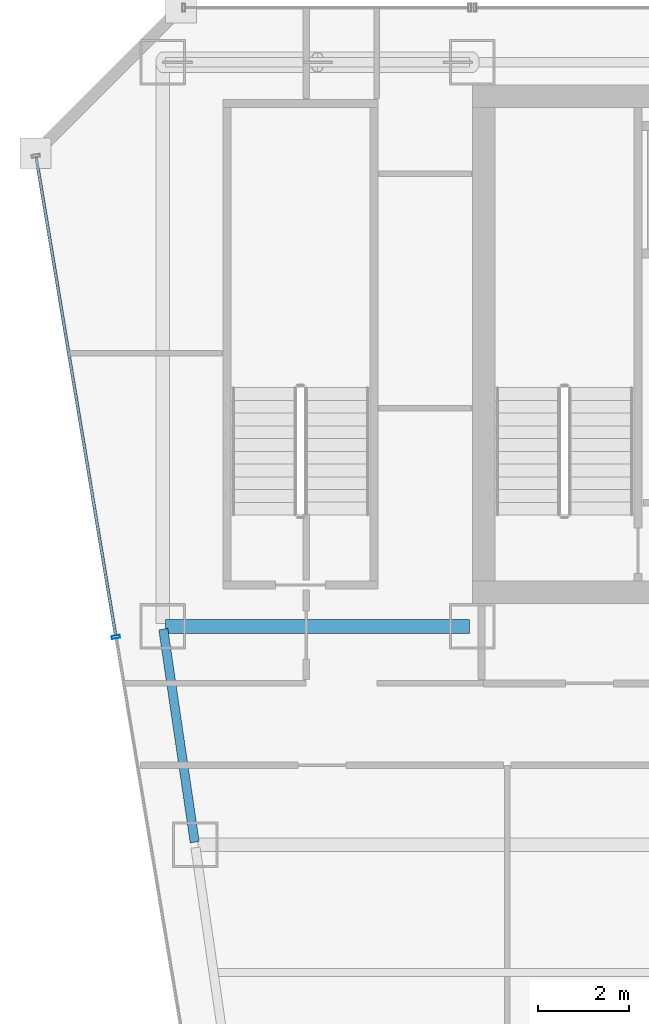
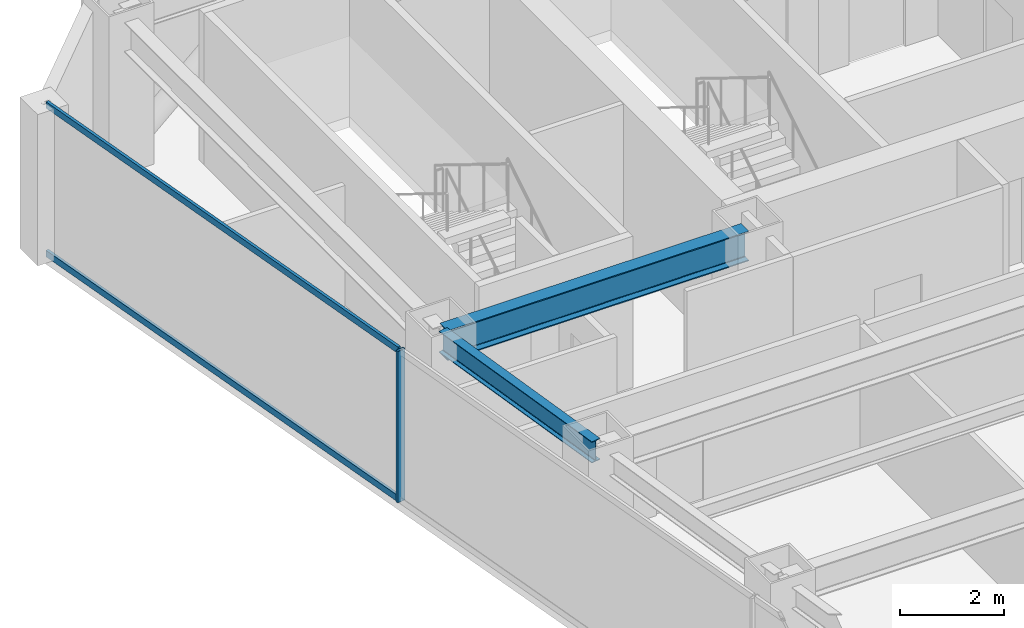
# One storey, part 19 of 36: 3 members, 2 beams, 1 element without a shape of its own.
"""IFC4 building model written with IfcOpenShell, lengths in metres."""

from ifc_helpers import new_model, si_unit, direction, frame, origin, origin_2d, place, context, subcontext, project, spatial, hollow_rectangle, i_section, extrude, material, material_profile, profile_set, type_object, element, aggregate, save


model = new_model("IFC4")

# Units and contexts
model_context = context("Model", 3, precision=1e-05, world=origin(), true_north=direction((0.0, 1.0)))
body_context = subcontext(model_context, "Body", "Model", "MODEL_VIEW")
ifc_project = project(units=[si_unit("LENGTHUNIT", "METRE"), si_unit("AREAUNIT", "SQUARE_METRE"), si_unit("VOLUMEUNIT", "CUBIC_METRE"), si_unit("PLANEANGLEUNIT", "RADIAN"), si_unit("MASSUNIT", "GRAM", prefix="KILO")], contexts=[model_context])

# Site, building, storey
site_placement = place(None, origin())
site = spatial("IfcSite", under=ifc_project, at=site_placement, CompositionType="ELEMENT")
building_placement = place(site_placement, origin())
building = spatial("IfcBuilding", under=site, at=building_placement, Name="Saevonmaru Cultural Tower", CompositionType="ELEMENT")
storey_placement = place(building_placement, frame((0.0, 0.0, 156.199951171875)))
storey = spatial("IfcBuildingStorey", under=building, at=storey_placement, Name="L34", CompositionType="ELEMENT", Elevation=156.199951171875)

# Beams
ifc_material_1 = material(Name="Steel SM355", Category="steel")
ifc_material_profile_1 = material_profile(ifc_material_1, i_section(OverallWidth=0.300048828125, OverallDepth=0.699951171875, WebThickness=0.012939453125, FlangeThickness=0.02392578125, FilletRadius=0.02587890625, at=origin_2d()), Name="H-700x300x13x24")
ifc_profile_set_1 = profile_set([ifc_material_profile_1], Name="Steel SM355")
beam_type_1 = type_object("IfcBeamType", Name="BM-G-H700", PredefinedType="BEAM", material=ifc_profile_set_1)
beam_1_placement = place(storey_placement, frame((6.860107421875, 42.39990234375, 3.199951171875), z_axis=(1.0, 0.0, 0.0), x_axis=(0.0, 1.0, 0.0)))
element("IfcBeam", 1, at=beam_1_placement, inside=storey, type_object=beam_type_1, Name="L34 Core South Girder 1", PredefinedType="BEAM", context=body_context, shape_type="SweptSolid", body=[
    extrude(i_section(OverallWidth=0.300048828125, OverallDepth=0.699951171875, WebThickness=0.012939453125, FlangeThickness=0.02392578125, FilletRadius=0.02587890625, at=origin_2d()), origin(), (0.0, 0.0, 1.0), 6.679931640625),
])
ifc_material_profile_2 = material_profile(ifc_material_1, i_section(OverallWidth=0.199951171875, OverallDepth=0.5, WebThickness=0.010009765625, FlangeThickness=0.01611328125, FilletRadius=0.02001953125, at=origin_2d()), Name="H-500x200x10x16")
ifc_profile_set_2 = profile_set([ifc_material_profile_2], Name="Steel SM355")
beam_type_2 = type_object("IfcBeamType", Name="BM-SP-H500", PredefinedType="SPANDREL", material=ifc_profile_set_2)
beam_2_placement = place(storey_placement, frame((7.499267578125, 37.659423828125, 3.300048828125), z_axis=(-0.145912860028, 0.989297446312, 0.0), x_axis=(-0.989297446312, -0.145912860028, 0.0)))
element("IfcBeam", 2, at=beam_2_placement, inside=storey, type_object=beam_type_2, Name="L34 West Splayed Spandrel 5", PredefinedType="SPANDREL", context=body_context, shape_type="SweptSolid", body=[
    extrude(i_section(OverallWidth=0.199951171875, OverallDepth=0.5, WebThickness=0.010009765625, FlangeThickness=0.01611328125, FilletRadius=0.02001953125, at=origin_2d()), origin(), (0.0, 0.0, 1.0), 4.731689453125),
])

# Curtain wall, members
ifc_material_2 = material(Name="Satin Bronze Anodised Aluminium", Category="aluminium")
curtain_wall_type = type_object("IfcCurtainWallType", Name="CW-TYP-A", PredefinedType="NOTDEFINED", material=ifc_material_2)
curtain_wall_placement = place(storey_placement, origin())
curtain_wall = element("IfcCurtainWall", 3, at=curtain_wall_placement, inside=storey, type_object=curtain_wall_type, Name="L34 Unitised Curtain Wall E12", PredefinedType="NOTDEFINED")
ifc_material_profile_3 = material_profile(ifc_material_2, hollow_rectangle(XDim=0.06494140625, YDim=0.179931640625, WallThickness=0.00390625, at=origin_2d()), Name="ALU-MULL-180x65x4")
ifc_profile_set_3 = profile_set([ifc_material_profile_3], Name="Satin Bronze Anodised Aluminium")
member_type_1 = type_object("IfcMemberType", Name="ML-CW-180x65", PredefinedType="MULLION", material=ifc_profile_set_3)
member_1_placement = place(storey_placement, frame((5.76708984375, 42.17041015625, 0.0), z_axis=(0.0, 0.0, 1.0), x_axis=(0.163998702345, -0.986460554523, 0.0)))
member_1 = element("IfcMember", 4, at=member_1_placement, type_object=member_type_1, Name="CW-TW-L34-E12 mullion 2", PredefinedType="MULLION", context=body_context, shape_type="SweptSolid", body=[
    extrude(hollow_rectangle(XDim=0.06494140625, YDim=0.179931640625, WallThickness=0.00390625, at=origin_2d()), origin(), (0.0, 0.0, 1.0), 3.550048828125),
])
ifc_material_profile_4 = material_profile(ifc_material_2, hollow_rectangle(XDim=0.06494140625, YDim=0.14990234375, WallThickness=0.00390625, at=origin_2d()), Name="ALU-TRAN-150x65x4")
ifc_profile_set_4 = profile_set([ifc_material_profile_4], Name="Satin Bronze Anodised Aluminium")
member_type_2 = type_object("IfcMemberType", Name="TR-CW-150x65", PredefinedType="USERDEFINED", material=ifc_profile_set_4)
member_2_placement = place(storey_placement, frame((4.01513671875, 52.708740234375, 0.032470703125), z_axis=(0.163990079074, -0.9864619881, 0.0), x_axis=(0.9864619881, 0.163990079074, 0.0)))
member_2 = element("IfcMember", 5, at=member_2_placement, type_object=member_type_2, Name="CW-TW-L34-E12 transom 1.1", ObjectType="TRANSOM", PredefinedType="USERDEFINED", context=body_context, shape_type="SweptSolid", body=[
    extrude(hollow_rectangle(XDim=0.06494140625, YDim=0.14990234375, WallThickness=0.00390625, at=origin_2d()), origin(), (0.0, 0.0, 1.0), 10.650634765625),
])
member_3_placement = place(storey_placement, frame((4.01513671875, 52.708740234375, 3.517578125), z_axis=(0.163990079074, -0.9864619881, 0.0), x_axis=(0.9864619881, 0.163990079074, 0.0)))
member_3 = element("IfcMember", 6, at=member_3_placement, type_object=member_type_2, Name="CW-TW-L34-E12 transom 1.2", ObjectType="TRANSOM", PredefinedType="USERDEFINED", context=body_context, shape_type="SweptSolid", body=[
    extrude(hollow_rectangle(XDim=0.06494140625, YDim=0.14990234375, WallThickness=0.00390625, at=origin_2d()), origin(), (0.0, 0.0, 1.0), 10.650634765625),
])
aggregate(curtain_wall, [member_1, member_2, member_3])

save(model, "model.ifc")
